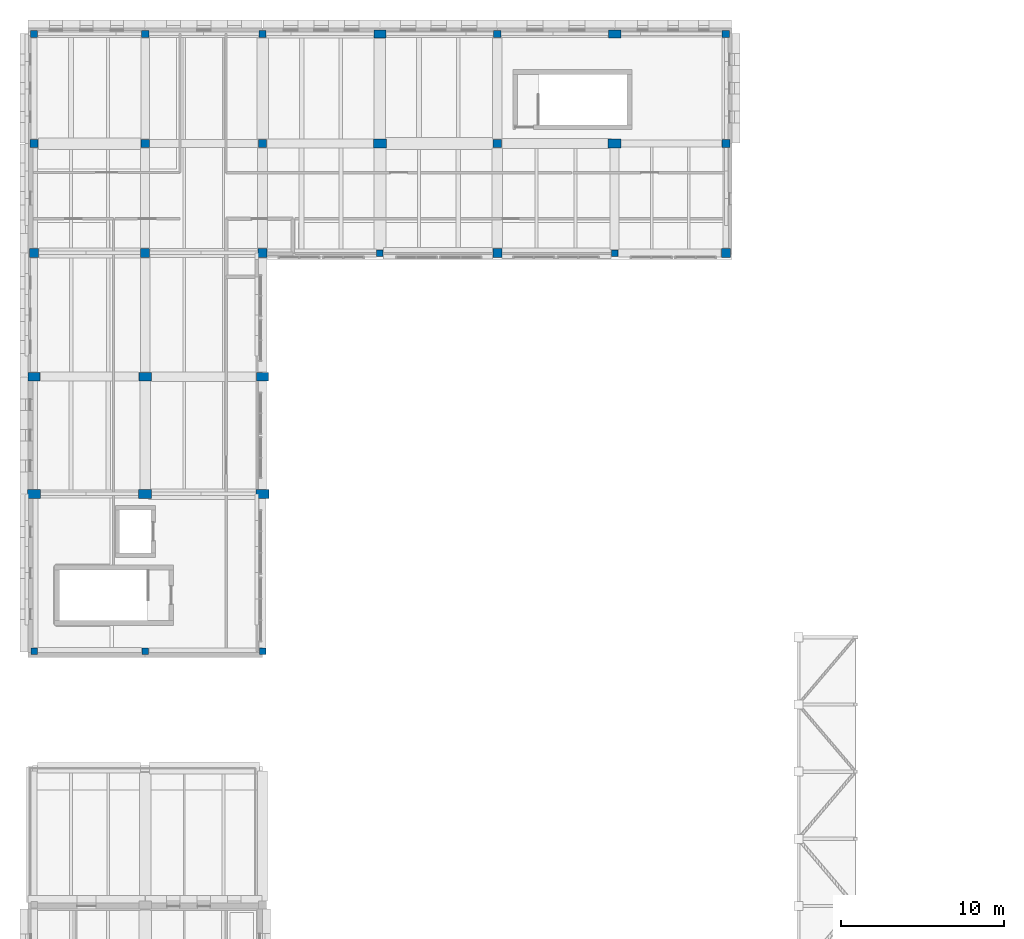
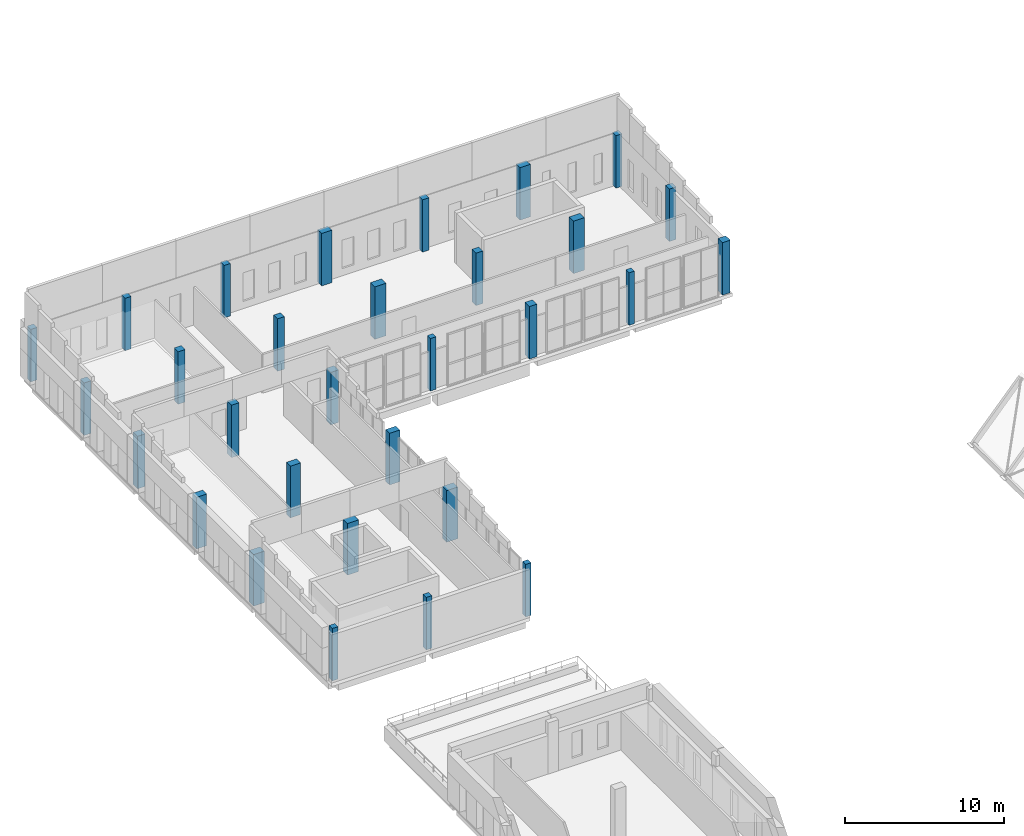
# One storey, part 3 of 34: 30 columns.
"""IFC4 building model written with IfcOpenShell, lengths in metres."""

from ifc_helpers import new_model, si_unit, direction, frame, origin, origin_2d, place, context, subcontext, project, spatial, rectangle, extrude, material, material_profile, profile_set, type_object, element, save


model = new_model("IFC4")

# Units and contexts
model_context = context("Model", 3, precision=1e-05, world=origin(), true_north=direction((0.0, 1.0)))
body_context = subcontext(model_context, "Body", "Model", "MODEL_VIEW")
ifc_project = project(units=[si_unit("LENGTHUNIT", "METRE"), si_unit("AREAUNIT", "SQUARE_METRE"), si_unit("VOLUMEUNIT", "CUBIC_METRE"), si_unit("PLANEANGLEUNIT", "RADIAN"), si_unit("MASSUNIT", "GRAM", prefix="KILO")], contexts=[model_context])

# Site, building, storey
site_placement = place(None, origin())
site = spatial("IfcSite", under=ifc_project, at=site_placement, CompositionType="ELEMENT")
building_placement = place(site_placement, origin())
building = spatial("IfcBuilding", under=site, at=building_placement, Name="Vardoun Plaza Health Centre", CompositionType="ELEMENT")
storey_placement = place(building_placement, frame((0.0, 0.0, 12.89990234375)))
storey = spatial("IfcBuildingStorey", under=building, at=storey_placement, Name="L03", CompositionType="ELEMENT", Elevation=12.89990234375)

# Columns
ifc_material_1 = material(Name="Concrete C40/50", Category="concrete")
ifc_material_profile_1 = material_profile(ifc_material_1, rectangle(XDim=0.39990234375, YDim=0.39990234375, at=origin_2d()), Name="RC-COL 400x400")
ifc_profile_set_1 = profile_set([ifc_material_profile_1], Name="Concrete C40/50")
column_type_1 = type_object("IfcColumnType", Name="C-08", PredefinedType="COLUMN", material=ifc_profile_set_1)
for number, where, z_axis, x_axis, name in (
    (1, (4.8798828125, 77.06005859375, 0.0), (0.0, 0.0, 1.0), (1.0, 0.0, 0.0), "V3 L03 Column C-V3-01"),
    (2, (11.699951171875, 77.06005859375, 0.0), (0.0, 0.0, 1.0), (1.0, 0.0, 0.0), "V3 L03 Column C-V3-07"),
    (3, (18.89990234375, 77.06005859375, 0.0), (0.0, 0.0, 1.0), (1.0, 0.0, 0.0), "V3 L03 Column C-V3-13"),
    (4, (26.10009765625, 101.47998046875, 0.0), (0.0, 0.0, 1.0), (1.0, 0.0, 0.0), "V3 L03 Column C-V3-19"),
    (5, (40.5, 101.47998046875, 0.0), (0.0, 0.0, 1.0), (1.0, 0.0, 0.0), "V3 L03 Column C-V3-25"),
):
    element("IfcColumn", number, at=place(storey_placement, frame(where, z_axis=z_axis, x_axis=x_axis)), inside=storey, type_object=column_type_1, Name=name, PredefinedType="COLUMN", context=body_context, shape_type="SweptSolid", body=[
        extrude(rectangle(XDim=0.39990234375, YDim=0.39990234375, at=origin_2d()), origin(), (0.0, 0.0, 1.0), 4.025146484375),
    ])
ifc_material_2 = material(Name="Concrete C40/50", Category="concrete")
ifc_material_profile_2 = material_profile(ifc_material_2, rectangle(XDim=0.449951171875, YDim=0.449951171875, at=origin_2d()), Name="RC-COL 450x450")
ifc_profile_set_2 = profile_set([ifc_material_profile_2], Name="Concrete C40/50")
column_type_2 = type_object("IfcColumnType", Name="C-07", PredefinedType="COLUMN", material=ifc_profile_set_2)
for number, where, z_axis, x_axis, name in (
    (6, (4.8798828125, 114.919921875, 0.0), (0.0, 0.0, 1.0), (1.0, 0.0, 0.0), "V3 L03 Column C-V3-06"),
    (7, (11.699951171875, 114.919921875, 0.0), (0.0, 0.0, 1.0), (1.0, 0.0, 0.0), "V3 L03 Column C-V3-12"),
    (8, (18.89990234375, 114.919921875, 0.0), (0.0, 0.0, 1.0), (1.0, 0.0, 0.0), "V3 L03 Column C-V3-18"),
    (9, (33.300048828125, 114.919921875, 0.0), (0.0, 0.0, 1.0), (1.0, 0.0, 0.0), "V3 L03 Column C-V3-24"),
    (10, (47.320068359375, 114.919921875, 0.0), (0.0, 0.0, 1.0), (1.0, 0.0, 0.0), "V3 L03 Column C-V3-30"),
):
    element("IfcColumn", number, at=place(storey_placement, frame(where, z_axis=z_axis, x_axis=x_axis)), inside=storey, type_object=column_type_2, Name=name, PredefinedType="COLUMN", context=body_context, shape_type="SweptSolid", body=[
        extrude(rectangle(XDim=0.449951171875, YDim=0.449951171875, at=origin_2d()), origin(), (0.0, 0.0, 1.0), 4.025146484375),
    ])
ifc_material_3 = material(Name="Concrete C40/50", Category="concrete")
ifc_material_profile_3 = material_profile(ifc_material_3, rectangle(XDim=0.5, YDim=0.5, at=origin_2d()), Name="RC-COL 500x500")
ifc_profile_set_3 = profile_set([ifc_material_profile_3], Name="Concrete C40/50")
column_type_3 = type_object("IfcColumnType", Name="C-06", PredefinedType="COLUMN", material=ifc_profile_set_3)
for number, where, z_axis, x_axis, name in (
    (11, (4.8798828125, 108.199951171875, 0.0), (0.0, 0.0, 1.0), (1.0, 0.0, 0.0), "V3 L03 Column C-V3-05"),
    (12, (11.699951171875, 108.199951171875, 0.0), (0.0, 0.0, 1.0), (1.0, 0.0, 0.0), "V3 L03 Column C-V3-11"),
    (13, (18.89990234375, 108.199951171875, 0.0), (0.0, 0.0, 1.0), (1.0, 0.0, 0.0), "V3 L03 Column C-V3-17"),
    (14, (33.300048828125, 108.199951171875, 0.0), (0.0, 0.0, 1.0), (1.0, 0.0, 0.0), "V3 L03 Column C-V3-23"),
    (15, (47.320068359375, 108.199951171875, 0.0), (0.0, 0.0, 1.0), (1.0, 0.0, 0.0), "V3 L03 Column C-V3-29"),
):
    element("IfcColumn", number, at=place(storey_placement, frame(where, z_axis=z_axis, x_axis=x_axis)), inside=storey, type_object=column_type_3, Name=name, PredefinedType="COLUMN", context=body_context, shape_type="SweptSolid", body=[
        extrude(rectangle(XDim=0.5, YDim=0.5, at=origin_2d()), origin(), (0.0, 0.0, 1.0), 4.025146484375),
    ])
ifc_material_4 = material(Name="Concrete C40/50", Category="concrete")
ifc_material_profile_4 = material_profile(ifc_material_4, rectangle(XDim=0.550048828125, YDim=0.550048828125, at=origin_2d()), Name="RC-COL 550x550")
ifc_profile_set_4 = profile_set([ifc_material_profile_4], Name="Concrete C40/50")
column_type_4 = type_object("IfcColumnType", Name="C-05", PredefinedType="COLUMN", material=ifc_profile_set_4)
for number, where, z_axis, x_axis, name in (
    (16, (4.8798828125, 101.47998046875, 0.0), (0.0, 0.0, 1.0), (1.0, 0.0, 0.0), "V3 L03 Column C-V3-04"),
    (17, (11.699951171875, 101.47998046875, 0.0), (0.0, 0.0, 1.0), (1.0, 0.0, 0.0), "V3 L03 Column C-V3-10"),
    (18, (18.89990234375, 101.47998046875, 0.0), (0.0, 0.0, 1.0), (1.0, 0.0, 0.0), "V3 L03 Column C-V3-16"),
    (19, (33.300048828125, 101.47998046875, 0.0), (0.0, 0.0, 1.0), (1.0, 0.0, 0.0), "V3 L03 Column C-V3-22"),
    (20, (47.320068359375, 101.47998046875, 0.0), (0.0, 0.0, 1.0), (1.0, 0.0, 0.0), "V3 L03 Column C-V3-28"),
):
    element("IfcColumn", number, at=place(storey_placement, frame(where, z_axis=z_axis, x_axis=x_axis)), inside=storey, type_object=column_type_4, Name=name, PredefinedType="COLUMN", context=body_context, shape_type="SweptSolid", body=[
        extrude(rectangle(XDim=0.550048828125, YDim=0.550048828125, at=origin_2d()), origin(), (0.0, 0.0, 1.0), 4.025146484375),
    ])
ifc_material_5 = material(Name="Concrete C40/50", Category="concrete")
ifc_material_profile_5 = material_profile(ifc_material_5, rectangle(XDim=0.75, YDim=0.5, at=origin_2d()), Name="RC-COL 750x500")
ifc_profile_set_5 = profile_set([ifc_material_profile_5], Name="Concrete C40/50")
column_type_5 = type_object("IfcColumnType", Name="C-10", PredefinedType="COLUMN", material=ifc_profile_set_5)
for number, where, z_axis, x_axis, name in (
    (21, (4.8798828125, 93.900146484375, 0.0), (0.0, 0.0, 1.0), (1.0, 0.0, 0.0), "V3 L03 Column C-V3-03"),
    (22, (11.699951171875, 93.900146484375, 0.0), (0.0, 0.0, 1.0), (1.0, 0.0, 0.0), "V3 L03 Column C-V3-09"),
    (23, (18.89990234375, 93.900146484375, 0.0), (0.0, 0.0, 1.0), (1.0, 0.0, 0.0), "V3 L03 Column C-V3-15"),
):
    element("IfcColumn", number, at=place(storey_placement, frame(where, z_axis=z_axis, x_axis=x_axis)), inside=storey, type_object=column_type_5, Name=name, PredefinedType="COLUMN", context=body_context, shape_type="SweptSolid", body=[
        extrude(rectangle(XDim=0.75, YDim=0.5, at=origin_2d()), origin(), (0.0, 0.0, 1.0), 3.960205078125),
    ])
for number, where, z_axis, x_axis, name in (
    (24, (26.10009765625, 114.919921875, 0.0), (0.0, 0.0, 1.0), (1.0, 0.0, 0.0), "V3 L03 Column C-V3-21"),
    (25, (40.5, 114.919921875, 0.0), (0.0, 0.0, 1.0), (1.0, 0.0, 0.0), "V3 L03 Column C-V3-27"),
):
    element("IfcColumn", number, at=place(storey_placement, frame(where, z_axis=z_axis, x_axis=x_axis)), inside=storey, type_object=column_type_5, Name=name, PredefinedType="COLUMN", context=body_context, shape_type="SweptSolid", body=[
        extrude(rectangle(XDim=0.75, YDim=0.5, at=origin_2d()), origin(), (0.0, 0.0, 1.0), 4.025146484375),
    ])
ifc_material_6 = material(Name="Concrete C40/50", Category="concrete")
ifc_material_profile_6 = material_profile(ifc_material_6, rectangle(XDim=0.800048828125, YDim=0.550048828125, at=origin_2d()), Name="RC-COL 800x550")
ifc_profile_set_6 = profile_set([ifc_material_profile_6], Name="Concrete C40/50")
column_type_6 = type_object("IfcColumnType", Name="C-09", PredefinedType="COLUMN", material=ifc_profile_set_6)
for number, where, z_axis, x_axis, name in (
    (26, (4.8798828125, 86.699951171875, 0.0), (0.0, 0.0, 1.0), (1.0, 0.0, 0.0), "V3 L03 Column C-V3-02"),
    (27, (11.699951171875, 86.699951171875, 0.0), (0.0, 0.0, 1.0), (1.0, 0.0, 0.0), "V3 L03 Column C-V3-08"),
    (28, (18.89990234375, 86.699951171875, 0.0), (0.0, 0.0, 1.0), (1.0, 0.0, 0.0), "V3 L03 Column C-V3-14"),
):
    element("IfcColumn", number, at=place(storey_placement, frame(where, z_axis=z_axis, x_axis=x_axis)), inside=storey, type_object=column_type_6, Name=name, PredefinedType="COLUMN", context=body_context, shape_type="SweptSolid", body=[
        extrude(rectangle(XDim=0.800048828125, YDim=0.550048828125, at=origin_2d()), origin(), (0.0, 0.0, 1.0), 3.960205078125),
    ])
for number, where, z_axis, x_axis, name in (
    (29, (26.10009765625, 108.199951171875, 0.0), (0.0, 0.0, 1.0), (1.0, 0.0, 0.0), "V3 L03 Column C-V3-20"),
    (30, (40.5, 108.199951171875, 0.0), (0.0, 0.0, 1.0), (1.0, 0.0, 0.0), "V3 L03 Column C-V3-26"),
):
    element("IfcColumn", number, at=place(storey_placement, frame(where, z_axis=z_axis, x_axis=x_axis)), inside=storey, type_object=column_type_6, Name=name, PredefinedType="COLUMN", context=body_context, shape_type="SweptSolid", body=[
        extrude(rectangle(XDim=0.800048828125, YDim=0.550048828125, at=origin_2d()), origin(), (0.0, 0.0, 1.0), 4.025146484375),
    ])

save(model, "model.ifc")
